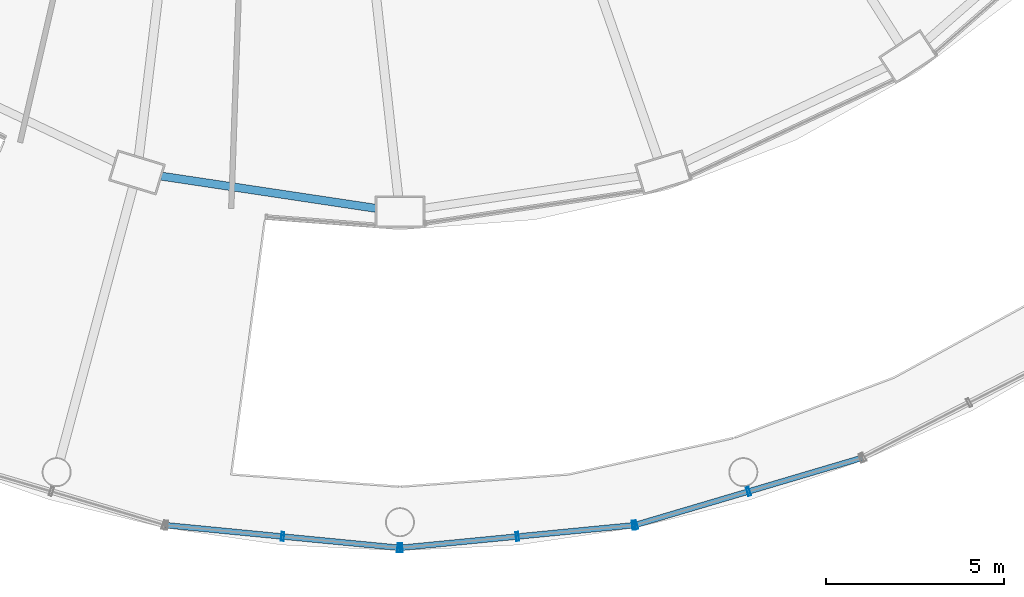
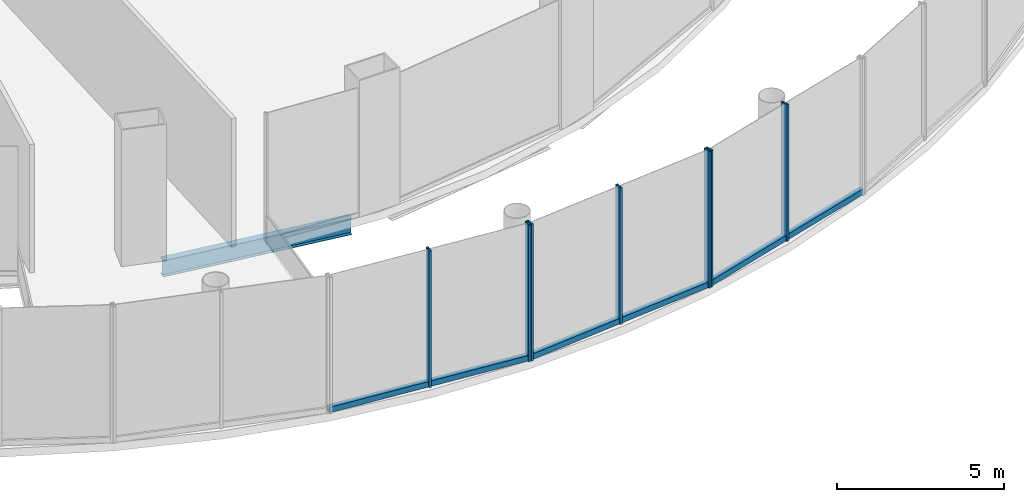
# One storey, part 8 of 48: 10 members, 1 beam, 3 elements without a shape of their own.
"""IFC4 building model written with IfcOpenShell, lengths in metres."""

from ifc_helpers import new_model, si_unit, direction, frame, origin, origin_2d, place, context, subcontext, project, spatial, hollow_rectangle, i_section, extrude, material, layer, layer_set, material_profile, profile_set, type_object, element, aggregate, save


model = new_model("IFC4")

# Units and contexts
model_context = context("Model", 3, precision=1e-05, world=origin(), true_north=direction((0.0, 1.0)))
body_context = subcontext(model_context, "Body", "Model", "MODEL_VIEW")
ifc_project = project(units=[si_unit("LENGTHUNIT", "METRE"), si_unit("AREAUNIT", "SQUARE_METRE"), si_unit("VOLUMEUNIT", "CUBIC_METRE"), si_unit("PLANEANGLEUNIT", "RADIAN"), si_unit("MASSUNIT", "GRAM", prefix="KILO")], contexts=[model_context])

# Site, building, storey
site_placement = place(None, origin())
site = spatial("IfcSite", under=ifc_project, at=site_placement, CompositionType="ELEMENT")
building_placement = place(site_placement, origin())
building = spatial("IfcBuilding", under=site, at=building_placement, Name="Nagisa Residences", CompositionType="ELEMENT")
storey_placement = place(building_placement, frame((0.0, 0.0, 12.0)))
storey = spatial("IfcBuildingStorey", under=building, at=storey_placement, Name="L02", CompositionType="ELEMENT", Elevation=12.0)

# Curtain wall, members
ifc_material_1 = material(Name="Stainless steel curtain wall system", Category="steel")
ifc_layer = layer(ifc_material_1, 0.159912109375)
ifc_layer_set = layer_set([ifc_layer], Name="CW3 CURTAIN WALL")
curtain_wall_type = type_object("IfcCurtainWallType", Name="CW3 CURTAIN WALL", PredefinedType="NOTDEFINED", material=ifc_layer_set)
curtain_wall_1_placement = place(storey_placement, origin())
curtain_wall_1 = element("IfcCurtainWall", 1, at=curtain_wall_1_placement, inside=storey, type_object=curtain_wall_type, Name="cw:CW3:L02:26", PredefinedType="NOTDEFINED")
ifc_material_2 = material(Name="Stainless steel", Category="steel")
ifc_material_profile_1 = material_profile(ifc_material_2, hollow_rectangle(XDim=0.25, YDim=0.080078125, WallThickness=0.008056640625, at=origin_2d()), Name="CW3 MULLION 250x80")
ifc_profile_set_1 = profile_set([ifc_material_profile_1], Name="Stainless steel")
member_type_1 = type_object("IfcMemberType", Name="CW3 MULLION 250x80", PredefinedType="MULLION", material=ifc_profile_set_1)
member_1_placement = place(storey_placement, frame((0.308349609375, -41.601318359375, 0.0), z_axis=(0.0, 0.0, 1.0), x_axis=(0.096249055035, 0.995357282289, 0.0)))
member_1 = element("IfcMember", 2, at=member_1_placement, type_object=member_type_1, Name="CW3 mullion", PredefinedType="MULLION", context=body_context, shape_type="SweptSolid", body=[
    extrude(hollow_rectangle(XDim=0.25, YDim=0.080078125, WallThickness=0.008056640625, at=origin_2d()), origin(), (0.0, 0.0, 1.0), 5.0),
])
member_2_placement = place(storey_placement, frame((3.56787109375, -41.91650390625, 0.0), z_axis=(0.0, 0.0, 1.0), x_axis=(0.096249055035, 0.995357282289, 0.0)))
member_2 = element("IfcMember", 3, at=member_2_placement, type_object=member_type_1, Name="CW3 mullion", PredefinedType="MULLION", context=body_context, shape_type="SweptSolid", body=[
    extrude(hollow_rectangle(XDim=0.25, YDim=0.080078125, WallThickness=0.008056640625, at=origin_2d()), origin(), (0.0, 0.0, 1.0), 5.0),
])

curtain_wall_2_placement = place(storey_placement, origin())
curtain_wall_2 = element("IfcCurtainWall", 4, at=curtain_wall_2_placement, inside=storey, type_object=curtain_wall_type, Name="cw:CW3:L02:27", PredefinedType="NOTDEFINED")
member_3_placement = place(storey_placement, frame((3.632080078125, -41.91650390625, 0.0), z_axis=(0.0, 0.0, 1.0), x_axis=(-0.096249055035, 0.995357282289, 0.0)))
member_3 = element("IfcMember", 5, at=member_3_placement, type_object=member_type_1, Name="CW3 mullion", PredefinedType="MULLION", context=body_context, shape_type="SweptSolid", body=[
    extrude(hollow_rectangle(XDim=0.25, YDim=0.080078125, WallThickness=0.008056640625, at=origin_2d()), origin(), (0.0, 0.0, 1.0), 5.0),
])
member_4_placement = place(storey_placement, frame((6.8916015625, -41.601318359375, 0.0), z_axis=(0.0, 0.0, 1.0), x_axis=(-0.096249055035, 0.995357282289, 0.0)))
member_4 = element("IfcMember", 6, at=member_4_placement, type_object=member_type_1, Name="CW3 mullion", PredefinedType="MULLION", context=body_context, shape_type="SweptSolid", body=[
    extrude(hollow_rectangle(XDim=0.25, YDim=0.080078125, WallThickness=0.008056640625, at=origin_2d()), origin(), (0.0, 0.0, 1.0), 5.0),
])
member_5_placement = place(storey_placement, frame((10.151123046875, -41.2861328125, 0.0), z_axis=(0.0, 0.0, 1.0), x_axis=(-0.096249055035, 0.995357282289, 0.0)))
member_5 = element("IfcMember", 7, at=member_5_placement, type_object=member_type_1, Name="CW3 mullion", PredefinedType="MULLION", context=body_context, shape_type="SweptSolid", body=[
    extrude(hollow_rectangle(XDim=0.25, YDim=0.080078125, WallThickness=0.008056640625, at=origin_2d()), origin(), (0.0, 0.0, 1.0), 5.0),
])

curtain_wall_3_placement = place(storey_placement, origin())
curtain_wall_3 = element("IfcCurtainWall", 8, at=curtain_wall_3_placement, inside=storey, type_object=curtain_wall_type, Name="cw:CW3:L02:28", PredefinedType="NOTDEFINED")
member_6_placement = place(storey_placement, frame((10.21435546875, -41.27392578125, 0.0), z_axis=(0.0, 0.0, 1.0), x_axis=(-0.283963226669, 0.958835171393, 0.0)))
member_6 = element("IfcMember", 9, at=member_6_placement, type_object=member_type_1, Name="CW3 mullion", PredefinedType="MULLION", context=body_context, shape_type="SweptSolid", body=[
    extrude(hollow_rectangle(XDim=0.25, YDim=0.080078125, WallThickness=0.008056640625, at=origin_2d()), origin(), (0.0, 0.0, 1.0), 5.0),
])
member_7_placement = place(storey_placement, frame((13.375, -40.337890625, 0.0), z_axis=(0.0, 0.0, 1.0), x_axis=(-0.283963226669, 0.958835171393, 0.0)))
member_7 = element("IfcMember", 10, at=member_7_placement, type_object=member_type_1, Name="CW3 mullion", PredefinedType="MULLION", context=body_context, shape_type="SweptSolid", body=[
    extrude(hollow_rectangle(XDim=0.25, YDim=0.080078125, WallThickness=0.008056640625, at=origin_2d()), origin(), (0.0, 0.0, 1.0), 5.0),
])

# Member
ifc_material_3 = material(Name="Stainless steel", Category="steel")
ifc_material_profile_2 = material_profile(ifc_material_3, hollow_rectangle(XDim=0.159912109375, YDim=0.199951171875, WallThickness=0.008056640625, at=origin_2d()), Name="CW3 TRANSOM 160x200")
ifc_profile_set_2 = profile_set([ifc_material_profile_2], Name="Stainless steel")
member_type_2 = type_object("IfcMemberType", Name="CW3 TRANSOM 160x200", PredefinedType="USERDEFINED", material=ifc_profile_set_2)
member_8_placement = place(storey_placement, frame((-2.990966796875, -41.2822265625, 0.10009765625), z_axis=(0.995355706687, -0.096265347687, 0.0), x_axis=(0.096265347687, 0.995355706687, 0.0)))
member_8 = element("IfcMember", 11, at=member_8_placement, type_object=member_type_2, Name="CW3 transom", ObjectType="TRANSOM", PredefinedType="USERDEFINED", context=body_context, shape_type="SweptSolid", body=[
    extrude(hollow_rectangle(XDim=0.159912109375, YDim=0.199951171875, WallThickness=0.008056640625, at=origin_2d()), origin(), (0.0, 0.0, 1.0), 6.62939453125),
])

aggregate(curtain_wall_1, [member_1, member_2, member_8])

member_9_placement = place(storey_placement, frame((3.59228515625, -41.92041015625, 0.10009765625), z_axis=(0.995355706687, 0.096265347687, 0.0), x_axis=(-0.096265347687, 0.995355706687, 0.0)))
member_9 = element("IfcMember", 12, at=member_9_placement, type_object=member_type_2, Name="CW3 transom", ObjectType="TRANSOM", PredefinedType="USERDEFINED", context=body_context, shape_type="SweptSolid", body=[
    extrude(hollow_rectangle(XDim=0.159912109375, YDim=0.199951171875, WallThickness=0.008056640625, at=origin_2d()), origin(), (0.0, 0.0, 1.0), 6.62939453125),
])

aggregate(curtain_wall_2, [member_3, member_4, member_5, member_9])

member_10_placement = place(storey_placement, frame((10.176025390625, -41.28515625, 0.10009765625), z_axis=(0.958835384932, 0.283962505627, 0.0), x_axis=(-0.283962505627, 0.958835384932, 0.0)))
member_10 = element("IfcMember", 13, at=member_10_placement, type_object=member_type_2, Name="CW3 transom", ObjectType="TRANSOM", PredefinedType="USERDEFINED", context=body_context, shape_type="SweptSolid", body=[
    extrude(hollow_rectangle(XDim=0.159912109375, YDim=0.199951171875, WallThickness=0.008056640625, at=origin_2d()), origin(), (0.0, 0.0, 1.0), 6.672607421875),
])

aggregate(curtain_wall_3, [member_6, member_7, member_10])

# Beam
ifc_material_4 = material(Name="Steel ASTM A572 Gr 50", Category="steel")
ifc_material_profile_3 = material_profile(ifc_material_4, i_section(OverallWidth=0.22802734375, OverallDepth=0.60302734375, WebThickness=0.010498046875, FlangeThickness=0.014892578125, at=origin_2d()), Name="W610x101")
ifc_profile_set_3 = profile_set([ifc_material_profile_3], Name="Steel ASTM A572 Gr 50")
beam_type = type_object("IfcBeamType", Name="Perimeter ring beam W610x101", PredefinedType="BEAM", material=ifc_profile_set_3)
beam_placement = place(storey_placement, frame((-3.096435546875, -31.49462890625, -0.6015625), z_axis=(0.988914559467, -0.14848566959, 0.0), x_axis=(0.14848566959, 0.988914559467, 0.0)))
element("IfcBeam", 14, at=beam_placement, inside=storey, type_object=beam_type, Name="beam:L02:pb18", PredefinedType="BEAM", context=body_context, shape_type="SweptSolid", body=[
    extrude(i_section(OverallWidth=0.22802734375, OverallDepth=0.60302734375, WebThickness=0.010498046875, FlangeThickness=0.014892578125, at=origin_2d()), origin(), (0.0, 0.0, 1.0), 6.08349609375),
])

save(model, "model.ifc")
